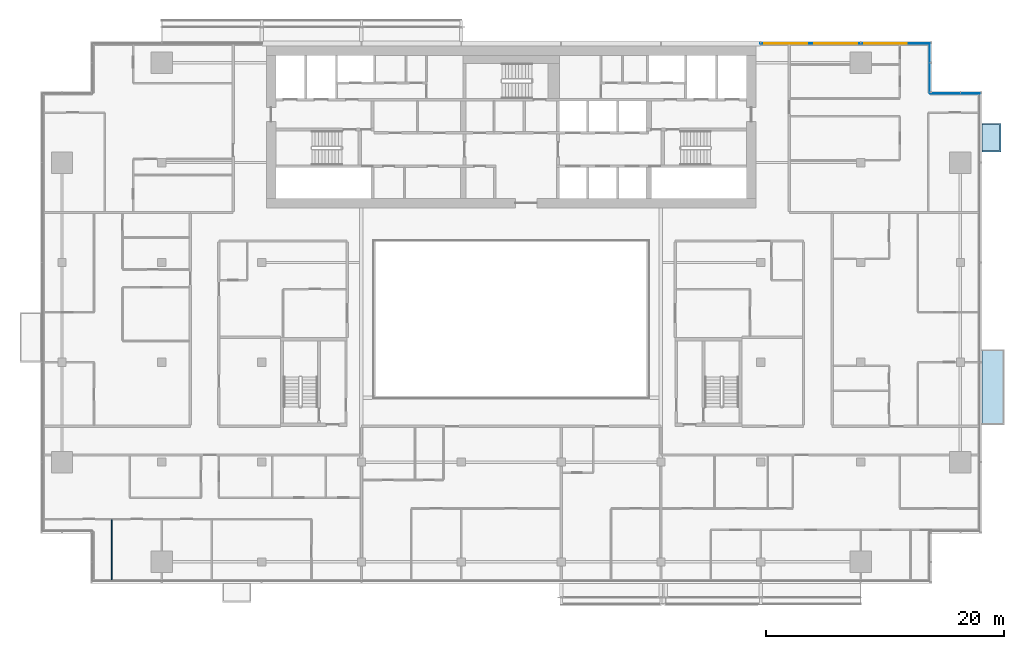
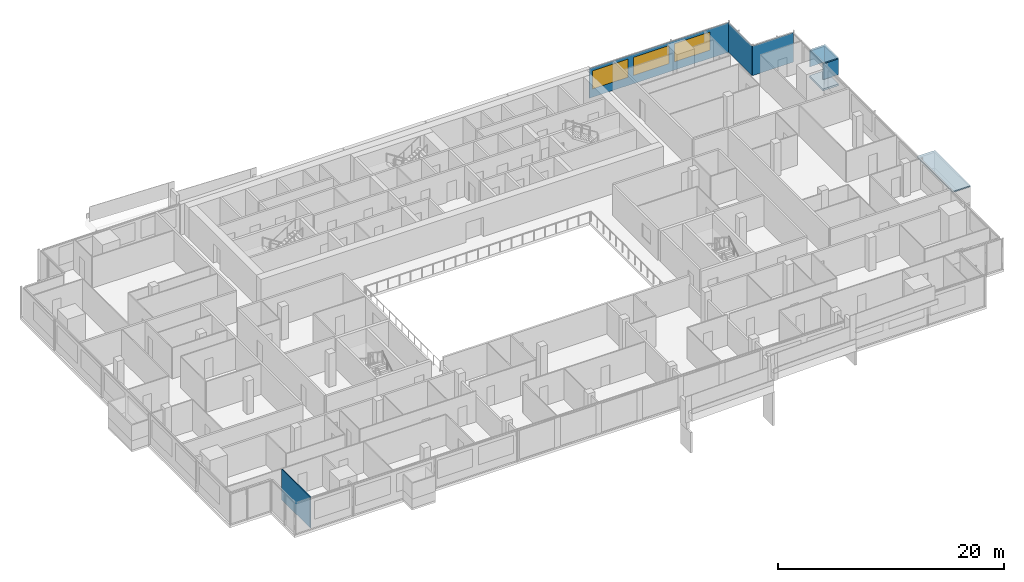
# One storey, part 16 of 28: 6 plates, 3 windows, 1 slab, 1 wall, 3 openings, 3 elements without a shape of their own.
"""IFC4 building model written with IfcOpenShell, lengths in metres."""

from ifc_helpers import new_model, si_unit, direction, frame, frame_2d, origin, place, context, subcontext, project, spatial, polyline, rectangle, outline, extrude, material, layer, layer_set, type_object, element, fill, aggregate, save


model = new_model("IFC4")

# Units and contexts
model_context = context("Model", 3, precision=1e-05, world=origin(), true_north=direction((0.0, 1.0)))
body_context = subcontext(model_context, "Body", "Model", "MODEL_VIEW")
ifc_project = project(units=[si_unit("LENGTHUNIT", "METRE"), si_unit("AREAUNIT", "SQUARE_METRE"), si_unit("VOLUMEUNIT", "CUBIC_METRE"), si_unit("PLANEANGLEUNIT", "RADIAN"), si_unit("MASSUNIT", "GRAM", prefix="KILO")], contexts=[model_context])

# Site, building, storey
site_placement = place(None, origin())
site = spatial("IfcSite", under=ifc_project, at=site_placement, CompositionType="ELEMENT")
building_placement = place(site_placement, origin())
building = spatial("IfcBuilding", under=site, at=building_placement, Name="Saffron Gate Tower", CompositionType="ELEMENT")
storey_placement = place(building_placement, frame((0.0, 0.0, 176.25)))
storey = spatial("IfcBuildingStorey", under=building, at=storey_placement, Name="L43", CompositionType="ELEMENT", Elevation=176.25)

# Curtain wall, plate, openings, windows
ifc_material_1 = material(Name="Aluminium, bronze anodised", Category="aluminium")
curtain_wall_type_1 = type_object("IfcCurtainWallType", Name="CWS3 curtain wall rear facade", PredefinedType="NOTDEFINED", material=ifc_material_1)
curtain_wall_1_placement = place(storey_placement, origin())
curtain_wall_1 = element("IfcCurtainWall", 1, at=curtain_wall_1_placement, inside=storey, type_object=curtain_wall_type_1, Name="CWS3 run 7", PredefinedType="NOTDEFINED")
ifc_material_2 = material(Name="Fritted grey-tinted laminated glass", Category="glass")
ifc_layer_1 = layer(ifc_material_2, 0.028076171875)
ifc_layer_set_1 = layer_set([ifc_layer_1], Name="CWS3 fixed glass")
plate_type_1 = type_object("IfcPlateType", Name="CWS3 fixed glass", PredefinedType="CURTAIN_PANEL", material=ifc_layer_set_1)
plate_1_placement = place(storey_placement, frame((122.81201171875, 75.426025390625, 0.0), z_axis=(0.0, 0.0, 1.0), x_axis=(-1.0, 0.0, 0.0)))
plate_1 = element("IfcPlate", 2, at=plate_1_placement, type_object=plate_type_1, Name="CWS3 glass panel", PredefinedType="CURTAIN_PANEL", context=body_context, shape_type="SweptSolid", body=[
    extrude(rectangle(XDim=14.2470703125, YDim=0.028076171875, at=frame_2d((7.12353515625, 0.0))), origin(), (0.0, 0.0, 1.0), 3.199951171875),
])
opening_1_placement = place(plate_1_placement, frame((1.912109375, 0.0, 0.89990234375)))
opening_1 = element("IfcOpeningElement", 3, at=opening_1_placement, cuts=plate_1, Name="Opening W1", PredefinedType="OPENING", context=body_context, shape_type="SweptSolid", body=[
    extrude(rectangle(XDim=3.60009765625, YDim=1.949951171875, at=frame_2d((1.800048828125, 0.97509765625))), frame((0.0, 0.02392578125, 0.0), z_axis=(0.0, -1.0, 0.0), x_axis=(1.0, 0.0, 0.0)), (0.0, 0.0, 1.0), 0.048095703125),
])
opening_2_placement = place(plate_1_placement, frame((6.112060546875, 0.0, 0.89990234375)))
opening_2 = element("IfcOpeningElement", 4, at=opening_2_placement, cuts=plate_1, Name="Opening W1", PredefinedType="OPENING", context=body_context, shape_type="SweptSolid", body=[
    extrude(rectangle(XDim=3.60009765625, YDim=1.949951171875, at=frame_2d((1.800048828125, 0.97509765625))), frame((0.0, 0.02392578125, 0.0), z_axis=(0.0, -1.0, 0.0), x_axis=(1.0, 0.0, 0.0)), (0.0, 0.0, 1.0), 0.048095703125),
])
opening_3_placement = place(plate_1_placement, frame((10.31201171875, 0.0, 0.89990234375)))
opening_3 = element("IfcOpeningElement", 5, at=opening_3_placement, cuts=plate_1, Name="Opening W1", PredefinedType="OPENING", context=body_context, shape_type="SweptSolid", body=[
    extrude(rectangle(XDim=3.60009765625, YDim=1.949951171875, at=frame_2d((1.800048828125, 0.97509765625))), frame((0.0, 0.02392578125, 0.0), z_axis=(0.0, -1.0, 0.0), x_axis=(1.0, 0.0, 0.0)), (0.0, 0.0, 1.0), 0.048095703125),
])
ifc_material_3 = material(Name="Fritted bronze-tinted laminated glass in bronze frame", Category="glass")
ifc_layer_2 = layer(ifc_material_3, 0.06005859375)
ifc_layer_set_2 = layer_set([ifc_layer_2], Name="W1 operable panel 3600x1950")
window_type = type_object("IfcWindowType", Name="W1 operable panel 3600x1950", PartitioningType="DOUBLE_PANEL_HORIZONTAL", PredefinedType="WINDOW", material=ifc_layer_set_2)
window_1_placement = place(opening_1_placement, origin())
window_1 = element("IfcWindow", 6, at=window_1_placement, type_object=window_type, Name="W1 operable panel", OverallHeight=1.949951171875, OverallWidth=3.60009765625, PartitioningType="SINGLE_PANEL", PredefinedType="WINDOW", context=body_context, shape_type="SweptSolid", body=[
    extrude(rectangle(XDim=3.60009765625, YDim=1.949951171875, at=frame_2d((1.800048828125, 0.97509765625))), frame((0.0, 0.013671875, 0.0), z_axis=(0.0, -1.0, 0.0), x_axis=(1.0, 0.0, 0.0)), (0.0, 0.0, 1.0), 0.027587890625),
])
fill(opening_1, window_1)
window_2_placement = place(opening_2_placement, origin())
window_2 = element("IfcWindow", 7, at=window_2_placement, type_object=window_type, Name="W1 operable panel", OverallHeight=1.949951171875, OverallWidth=3.60009765625, PartitioningType="SINGLE_PANEL", PredefinedType="WINDOW", context=body_context, shape_type="SweptSolid", body=[
    extrude(rectangle(XDim=3.60009765625, YDim=1.949951171875, at=frame_2d((1.800048828125, 0.97509765625))), frame((0.0, 0.013671875, 0.0), z_axis=(0.0, -1.0, 0.0), x_axis=(1.0, 0.0, 0.0)), (0.0, 0.0, 1.0), 0.027587890625),
])
fill(opening_2, window_2)
window_3_placement = place(opening_3_placement, origin())
window_3 = element("IfcWindow", 8, at=window_3_placement, type_object=window_type, Name="W1 operable panel", OverallHeight=1.949951171875, OverallWidth=3.60009765625, PartitioningType="SINGLE_PANEL", PredefinedType="WINDOW", context=body_context, shape_type="SweptSolid", body=[
    extrude(rectangle(XDim=3.60009765625, YDim=1.949951171875, at=frame_2d((1.800048828125, 0.97509765625))), frame((0.0, 0.013671875, 0.0), z_axis=(0.0, -1.0, 0.0), x_axis=(1.0, 0.0, 0.0)), (0.0, 0.0, 1.0), 0.027587890625),
])
fill(opening_3, window_3)
aggregate(curtain_wall_1, [plate_1, window_1, window_2, window_3])

# Curtain wall, plate
curtain_wall_type_2 = type_object("IfcCurtainWallType", Name="CWS4 curtain wall corner returns", PredefinedType="NOTDEFINED", material=ifc_material_1)
curtain_wall_2_placement = place(storey_placement, origin())
curtain_wall_2 = element("IfcCurtainWall", 9, at=curtain_wall_2_placement, inside=storey, type_object=curtain_wall_type_2, Name="CWS4 run 5", PredefinedType="NOTDEFINED")
ifc_material_4 = material(Name="Fritted bronze-tinted laminated glass", Category="glass")
ifc_layer_3 = layer(ifc_material_4, 0.028076171875)
ifc_layer_set_3 = layer_set([ifc_layer_3], Name="CWS4 fixed glass")
plate_type_2 = type_object("IfcPlateType", Name="CWS4 fixed glass", PredefinedType="CURTAIN_PANEL", material=ifc_layer_set_3)
plate_2_placement = place(storey_placement, frame((127.011962890625, 71.22607421875, 0.0), z_axis=(0.0, 0.0, 1.0), x_axis=(-1.0, 0.0, 0.0)))
plate_2 = element("IfcPlate", 10, at=plate_2_placement, type_object=plate_type_2, Name="CWS4 glass panel", PredefinedType="CURTAIN_PANEL", context=body_context, shape_type="SweptSolid", body=[
    extrude(rectangle(XDim=4.171875, YDim=0.028076171875, at=frame_2d((2.0859375, 0.0))), origin(), (0.0, 0.0, 1.0), 3.199951171875),
])
aggregate(curtain_wall_2, [plate_2])

curtain_wall_3_placement = place(storey_placement, origin())
curtain_wall_3 = element("IfcCurtainWall", 11, at=curtain_wall_3_placement, inside=storey, type_object=curtain_wall_type_2, Name="CWS4 run 6", PredefinedType="NOTDEFINED")
plate_3_placement = place(storey_placement, frame((122.825927734375, 71.239990234375, 0.0), z_axis=(0.0, 0.0, 1.0), x_axis=(0.0, 1.0, 0.0)))
plate_3 = element("IfcPlate", 12, at=plate_3_placement, type_object=plate_type_2, Name="CWS4 glass panel", PredefinedType="CURTAIN_PANEL", context=body_context, shape_type="SweptSolid", body=[
    extrude(rectangle(XDim=4.172119140625, YDim=0.028076171875, at=frame_2d((2.0859375, 0.0))), origin(), (0.0, 0.0, 1.0), 3.199951171875),
])
aggregate(curtain_wall_3, [plate_3])

# Slab
ifc_material_5 = material(Name="Timber deck on bronze frame", Category="wood")
ifc_layer_4 = layer(ifc_material_5, 0.199951171875)
ifc_layer_set_4 = layer_set([ifc_layer_4], Name="WB1 box floor")
slab_type = type_object("IfcSlabType", Name="WB1 box floor", PredefinedType="FLOOR", material=ifc_layer_set_4)
slab_placement = place(storey_placement, frame((0.0, 0.0, -0.199951171875)))
element("IfcSlab", 13, at=slab_placement, inside=storey, type_object=slab_type, Name="WINDOW BOX floor", PredefinedType="FLOOR", context=body_context, shape_type="SweptSolid", body=[
    extrude(outline(polyline([(127.199951171875, 66.300048828125), (127.199951171875, 68.699951171875), (128.800048828125, 68.699951171875), (128.800048828125, 66.300048828125), (127.199951171875, 66.300048828125)])), origin(), (0.0, 0.0, 1.0), 0.199951171875),
])

# Plates
ifc_layer_5 = layer(ifc_material_1, 0.1201171875)
ifc_layer_set_5 = layer_set([ifc_layer_5], Name="WB2 box roof")
plate_type_3 = type_object("IfcPlateType", Name="WB2 box roof", PredefinedType="SHEET", material=ifc_layer_set_5)
plate_4_placement = place(storey_placement, frame((0.0, 0.0, 2.699951171875)))
element("IfcPlate", 14, at=plate_4_placement, inside=storey, type_object=plate_type_3, Name="WINDOW BOX roof", PredefinedType="SHEET", context=body_context, shape_type="SweptSolid", body=[
    extrude(outline(polyline([(127.199951171875, 43.35009765625), (127.199951171875, 49.64990234375), (129.06689453125, 49.64990234375), (129.06689453125, 43.35009765625), (127.199951171875, 43.35009765625)])), origin(), (0.0, 0.0, 1.0), 0.1201171875),
])
plate_5_placement = place(storey_placement, frame((0.0, 0.0, 2.699951171875)))
element("IfcPlate", 15, at=plate_5_placement, inside=storey, type_object=plate_type_3, Name="WINDOW BOX roof", PredefinedType="SHEET", context=body_context, shape_type="SweptSolid", body=[
    extrude(outline(polyline([(127.199951171875, 66.300048828125), (127.199951171875, 68.699951171875), (128.800048828125, 68.699951171875), (128.800048828125, 66.300048828125), (127.199951171875, 66.300048828125)])), origin(), (0.0, 0.0, 1.0), 0.1201171875),
])
ifc_material_6 = material(Name="Clear low-iron laminated glass", Category="glass")
ifc_layer_6 = layer(ifc_material_6, 0.10009765625)
ifc_layer_set_6 = layer_set([ifc_layer_6], Name="WB6 box glazing")
plate_type_4 = type_object("IfcPlateType", Name="WB6 box glazing", PredefinedType="SHEET", material=ifc_layer_set_6)
plate_6_placement = place(storey_placement, frame((0.0, 0.0, 1.0)))
element("IfcPlate", 16, at=plate_6_placement, inside=storey, type_object=plate_type_4, Name="WINDOW BOX glazing", PredefinedType="SHEET", context=body_context, shape_type="SweptSolid", body=[
    extrude(outline(polyline([(127.199951171875, 66.300048828125), (127.199951171875, 66.39990234375), (128.699951171875, 66.39990234375), (128.699951171875, 68.60009765625), (127.199951171875, 68.60009765625), (127.199951171875, 68.699951171875), (128.800048828125, 68.699951171875), (128.800048828125, 66.300048828125), (127.199951171875, 66.300048828125)])), origin(), (0.0, 0.0, 1.0), 1.699951171875),
])

# Wall
ifc_material_7 = material(Name="Plasterboard on steel studs", Category="steel")
ifc_layer_7 = layer(ifc_material_7, 0.10009765625)
ifc_layer_set_7 = layer_set([ifc_layer_7], Name="PW1 Partition 100")
wall_type = type_object("IfcWallType", Name="PW1 Partition 100", PredefinedType="PARTITIONING", material=ifc_layer_set_7)
wall_placement = place(storey_placement, frame((54.0, 35.35009765625, 0.0), z_axis=(0.0, 0.0, 1.0), x_axis=(0.0, -1.0, 0.0)))
element("IfcWall", 17, at=wall_placement, inside=storey, type_object=wall_type, Name="Partition C3-60", PredefinedType="PARTITIONING", context=body_context, shape_type="SweptSolid", body=[
    extrude(rectangle(XDim=5.070068359375, YDim=0.10009765625, at=frame_2d((2.53515625, 0.0))), origin(), (0.0, 0.0, 1.0), 3.320068359375),
])

save(model, "model.ifc")
